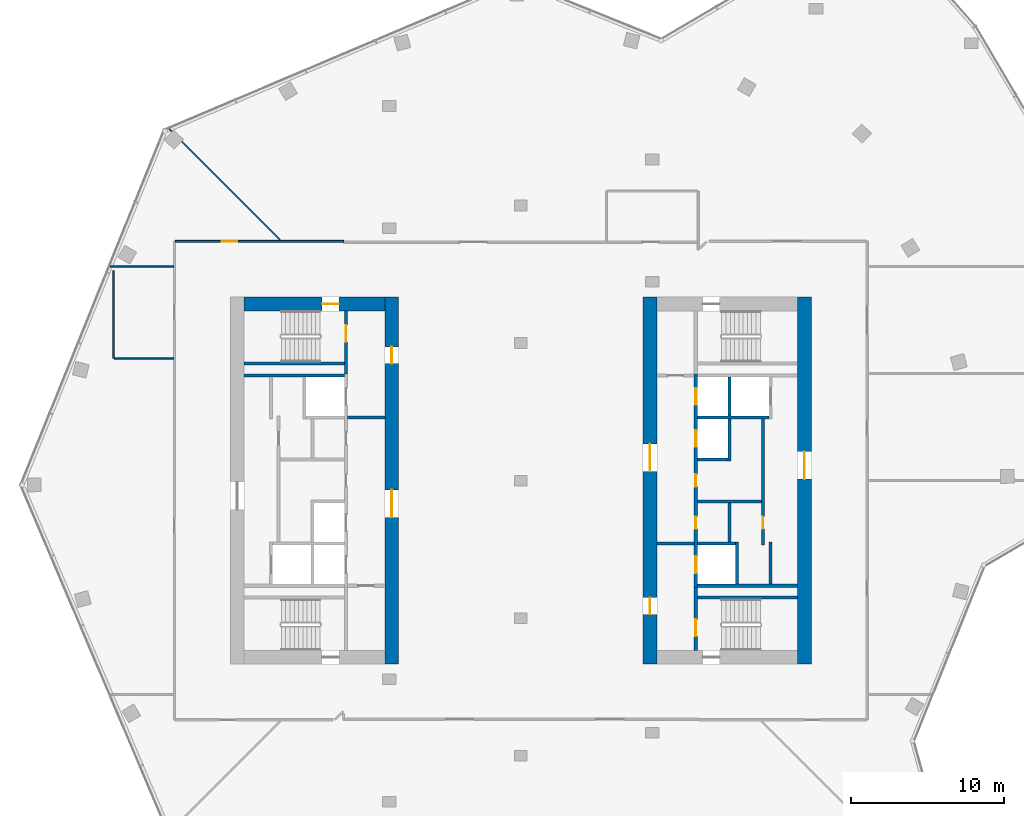
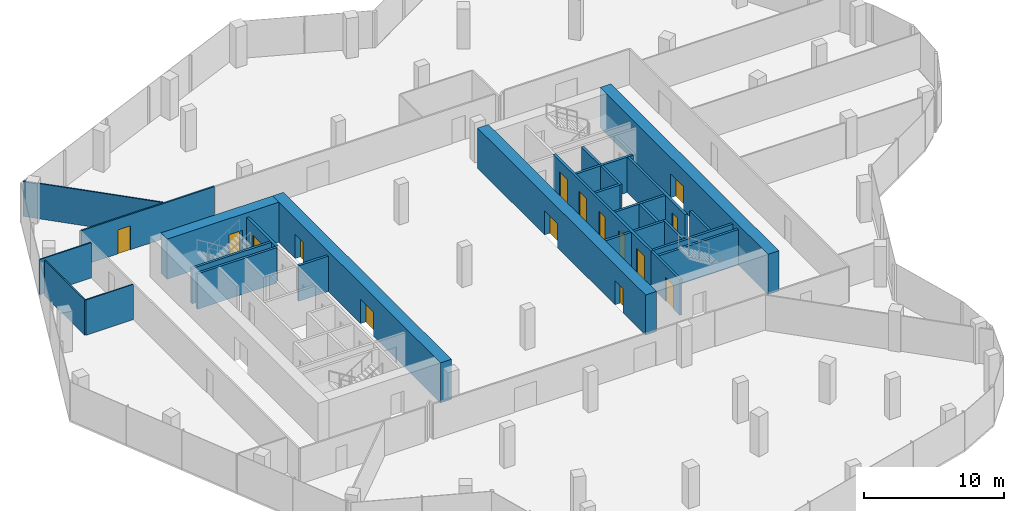
# One storey, part 13 of 15: 28 walls, 15 doors, 15 openings.
"""IFC4 building model written with IfcOpenShell, lengths in metres."""

from ifc_helpers import new_model, si_unit, direction, frame, frame_2d, origin, place, context, subcontext, project, spatial, rectangle, extrude, material, layer, layer_set, type_object, element, fill, save


model = new_model("IFC4")

# Units and contexts
model_context = context("Model", 3, precision=1e-05, world=origin(), true_north=direction((0.0, 1.0)))
body_context = subcontext(model_context, "Body", "Model", "MODEL_VIEW")
ifc_project = project(units=[si_unit("LENGTHUNIT", "METRE"), si_unit("AREAUNIT", "SQUARE_METRE"), si_unit("VOLUMEUNIT", "CUBIC_METRE"), si_unit("PLANEANGLEUNIT", "RADIAN"), si_unit("MASSUNIT", "GRAM", prefix="KILO")], contexts=[model_context])

# Site, building, storey
site_placement = place(None, origin())
site = spatial("IfcSite", under=ifc_project, at=site_placement, CompositionType="ELEMENT")
building_placement = place(site_placement, origin())
building = spatial("IfcBuilding", under=site, at=building_placement, Name="Orlundy Tower", CompositionType="ELEMENT")
storey_placement = place(building_placement, frame((0.0, 0.0, 278.89990234375)))
storey = spatial("IfcBuildingStorey", under=building, at=storey_placement, Name="L74", CompositionType="ELEMENT", Elevation=278.89990234375)

# Wall, opening, door
ifc_material_1 = material(Name="Concrete C50/60", Category="concrete")
ifc_layer_1 = layer(ifc_material_1, 0.89990234375)
ifc_layer_set_1 = layer_set([ifc_layer_1], Name="CORE WALL 900 C50/60")
wall_type_1 = type_object("IfcWallType", Name="CORE WALL 900 C50/60", PredefinedType="SHEAR", material=ifc_layer_set_1)
wall_1_placement = place(storey_placement, frame((-18.10009765625, 11.550048828125, 0.0), z_axis=(0.0, 0.0, 1.0), x_axis=(1.0, 0.0, 0.0)))
wall_1 = element("IfcWall", 1, at=wall_1_placement, inside=storey, type_object=wall_type_1, Name="Core wall W-N L74", PredefinedType="SHEAR", context=body_context, shape_type="SweptSolid", body=[
    extrude(rectangle(XDim=9.2001953125, YDim=0.89990234375, at=frame_2d((4.60009765625, 0.0))), origin(), (0.0, 0.0, 1.0), 3.5),
])
opening_1_placement = place(wall_1_placement, frame((5.10009765625, 0.0, 0.0)))
opening_1 = element("IfcOpeningElement", 2, at=opening_1_placement, cuts=wall_1, Name="Opening 56011", PredefinedType="OPENING", context=body_context, shape_type="SweptSolid", body=[
    extrude(rectangle(XDim=1.10009765625, YDim=2.10009765625, at=frame_2d((0.550048828125, 1.050048828125))), frame((0.0, 0.4599609375, 0.0), z_axis=(0.0, -1.0, 0.0), x_axis=(1.0, 0.0, 0.0)), (0.0, 0.0, 1.0), 0.919921875),
])
ifc_material_2 = material(Name="Steel door set", Category="steel")
door_type_1 = type_object("IfcDoorType", Name="Stair Door 1100x2100", OperationType="SINGLE_SWING_LEFT", PredefinedType="DOOR", material=ifc_material_2)
door_1_placement = place(opening_1_placement, origin())
door_1 = element("IfcDoor", 3, at=door_1_placement, inside=storey, type_object=door_type_1, Name="Stair door 56011", OperationType="SINGLE_SWING_RIGHT", OverallHeight=2.10009765625, OverallWidth=1.10009765625, PredefinedType="DOOR", context=body_context, shape_type="SweptSolid", body=[
    extrude(rectangle(XDim=1.10009765625, YDim=2.10009765625, at=frame_2d((0.550048828125, 1.050048828125))), frame((0.0, 0.02490234375, 0.0), z_axis=(0.0, -1.0, 0.0), x_axis=(1.0, 0.0, 0.0)), (0.0, 0.0, 1.0), 0.050048828125),
])
fill(opening_1, door_1)

# Wall, openings, doors
wall_2_placement = place(storey_placement, frame((-8.449951171875, -12.0, 0.0), z_axis=(0.0, 0.0, 1.0), x_axis=(0.0, 1.0, 0.0)))
wall_2 = element("IfcWall", 4, at=wall_2_placement, inside=storey, type_object=wall_type_1, Name="Core wall W-E L74", PredefinedType="SHEAR", context=body_context, shape_type="SweptSolid", body=[
    extrude(rectangle(XDim=24.0, YDim=0.89990234375, at=frame_2d((12.0, 0.0))), origin(), (0.0, 0.0, 1.0), 3.5),
])
opening_2_placement = place(wall_2_placement, frame((9.60009765625, 0.0, 0.0)))
opening_2 = element("IfcOpeningElement", 5, at=opening_2_placement, cuts=wall_2, Name="Opening 56008", PredefinedType="OPENING", context=body_context, shape_type="SweptSolid", body=[
    extrude(rectangle(XDim=1.800048828125, YDim=2.10009765625, at=frame_2d((0.89990234375, 1.050048828125))), frame((0.0, 0.4599609375, 0.0), z_axis=(0.0, -1.0, 0.0), x_axis=(1.0, 0.0, 0.0)), (0.0, 0.0, 1.0), 0.919921875),
])
opening_3_placement = place(wall_2_placement, frame((19.64990234375, 0.0, 0.0)))
opening_3 = element("IfcOpeningElement", 6, at=opening_3_placement, cuts=wall_2, Name="Opening 56010", PredefinedType="OPENING", context=body_context, shape_type="SweptSolid", body=[
    extrude(rectangle(XDim=1.10009765625, YDim=2.10009765625, at=frame_2d((0.550048828125, 1.050048828125))), frame((0.0, 0.4599609375, 0.0), z_axis=(0.0, -1.0, 0.0), x_axis=(1.0, 0.0, 0.0)), (0.0, 0.0, 1.0), 0.919921875),
])
ifc_material_3 = material(Name="Steel door set", Category="steel")
door_type_2 = type_object("IfcDoorType", Name="Fire-fighting Lobby Door 1100x2100", OperationType="SINGLE_SWING_LEFT", PredefinedType="DOOR", material=ifc_material_3)
door_2_placement = place(opening_3_placement, origin())
door_2 = element("IfcDoor", 7, at=door_2_placement, inside=storey, type_object=door_type_2, Name="Fire-fighting lobby door 56010", OperationType="SINGLE_SWING_RIGHT", OverallHeight=2.10009765625, OverallWidth=1.10009765625, PredefinedType="DOOR", context=body_context, shape_type="SweptSolid", body=[
    extrude(rectangle(XDim=1.10009765625, YDim=2.10009765625, at=frame_2d((0.550048828125, 1.050048828125))), frame((0.0, 0.02490234375, 0.0), z_axis=(0.0, -1.0, 0.0), x_axis=(1.0, 0.0, 0.0)), (0.0, 0.0, 1.0), 0.050048828125),
])
fill(opening_3, door_2)
ifc_material_4 = material(Name="Timber door set", Category="wood")
door_type_3 = type_object("IfcDoorType", Name="Lobby Door 1800x2100", OperationType="DOUBLE_DOOR_DOUBLE_SWING", PredefinedType="DOOR", material=ifc_material_4)
door_3_placement = place(opening_2_placement, origin())
door_3 = element("IfcDoor", 8, at=door_3_placement, inside=storey, type_object=door_type_3, Name="Lift lobby door 56008", OperationType="SINGLE_SWING_LEFT", OverallHeight=2.10009765625, OverallWidth=1.800048828125, PredefinedType="DOOR", context=body_context, shape_type="SweptSolid", body=[
    extrude(rectangle(XDim=1.800048828125, YDim=2.10009765625, at=frame_2d((0.89990234375, 1.050048828125))), frame((0.0, 0.02490234375, 0.0), z_axis=(0.0, -1.0, 0.0), x_axis=(1.0, 0.0, 0.0)), (0.0, 0.0, 1.0), 0.050048828125),
])
fill(opening_2, door_3)

wall_3_placement = place(storey_placement, frame((8.449951171875, -12.0, 0.0), z_axis=(0.0, 0.0, 1.0), x_axis=(0.0, 1.0, 0.0)))
wall_3 = element("IfcWall", 9, at=wall_3_placement, inside=storey, type_object=wall_type_1, Name="Core wall E-W L74", PredefinedType="SHEAR", context=body_context, shape_type="SweptSolid", body=[
    extrude(rectangle(XDim=24.0, YDim=0.89990234375, at=frame_2d((12.0, 0.0))), origin(), (0.0, 0.0, 1.0), 3.5),
])
opening_4_placement = place(wall_3_placement, frame((12.60009765625, 0.0, 0.0)))
opening_4 = element("IfcOpeningElement", 10, at=opening_4_placement, cuts=wall_3, Name="Opening 56057", PredefinedType="OPENING", context=body_context, shape_type="SweptSolid", body=[
    extrude(rectangle(XDim=1.800048828125, YDim=2.10009765625, at=frame_2d((0.89990234375, 1.050048828125))), frame((0.0, 0.4599609375, 0.0), z_axis=(0.0, -1.0, 0.0), x_axis=(1.0, 0.0, 0.0)), (0.0, 0.0, 1.0), 0.919921875),
])
opening_5_placement = place(wall_3_placement, frame((3.25, 0.0, 0.0)))
opening_5 = element("IfcOpeningElement", 11, at=opening_5_placement, cuts=wall_3, Name="Opening 56059", PredefinedType="OPENING", context=body_context, shape_type="SweptSolid", body=[
    extrude(rectangle(XDim=1.10009765625, YDim=2.10009765625, at=frame_2d((0.550048828125, 1.050048828125))), frame((0.0, 0.4599609375, 0.0), z_axis=(0.0, -1.0, 0.0), x_axis=(1.0, 0.0, 0.0)), (0.0, 0.0, 1.0), 0.919921875),
])
door_4_placement = place(opening_5_placement, origin())
door_4 = element("IfcDoor", 12, at=door_4_placement, inside=storey, type_object=door_type_2, Name="Fire-fighting lobby door 56059", OperationType="SINGLE_SWING_LEFT", OverallHeight=2.10009765625, OverallWidth=1.10009765625, PredefinedType="DOOR", context=body_context, shape_type="SweptSolid", body=[
    extrude(rectangle(XDim=1.10009765625, YDim=2.10009765625, at=frame_2d((0.550048828125, 1.050048828125))), frame((0.0, 0.02490234375, 0.0), z_axis=(0.0, -1.0, 0.0), x_axis=(1.0, 0.0, 0.0)), (0.0, 0.0, 1.0), 0.050048828125),
])
fill(opening_5, door_4)
door_5_placement = place(opening_4_placement, origin())
door_5 = element("IfcDoor", 13, at=door_5_placement, inside=storey, type_object=door_type_3, Name="Lift lobby door 56057", OperationType="SINGLE_SWING_RIGHT", OverallHeight=2.10009765625, OverallWidth=1.800048828125, PredefinedType="DOOR", context=body_context, shape_type="SweptSolid", body=[
    extrude(rectangle(XDim=1.800048828125, YDim=2.10009765625, at=frame_2d((0.89990234375, 1.050048828125))), frame((0.0, 0.02490234375, 0.0), z_axis=(0.0, -1.0, 0.0), x_axis=(1.0, 0.0, 0.0)), (0.0, 0.0, 1.0), 0.050048828125),
])
fill(opening_4, door_5)

# Wall, opening, door
wall_4_placement = place(storey_placement, frame((18.550048828125, -12.0, 0.0), z_axis=(0.0, 0.0, 1.0), x_axis=(0.0, 1.0, 0.0)))
wall_4 = element("IfcWall", 14, at=wall_4_placement, inside=storey, type_object=wall_type_1, Name="Core wall E-E L74", PredefinedType="SHEAR", context=body_context, shape_type="SweptSolid", body=[
    extrude(rectangle(XDim=24.0, YDim=0.89990234375, at=frame_2d((12.0, 0.0))), origin(), (0.0, 0.0, 1.0), 3.5),
])
opening_6_placement = place(wall_4_placement, frame((12.10009765625, 0.0, 0.0)))
opening_6 = element("IfcOpeningElement", 15, at=opening_6_placement, cuts=wall_4, Name="Opening 56058", PredefinedType="OPENING", context=body_context, shape_type="SweptSolid", body=[
    extrude(rectangle(XDim=1.800048828125, YDim=2.10009765625, at=frame_2d((0.89990234375, 1.050048828125))), frame((0.0, 0.4599609375, 0.0), z_axis=(0.0, -1.0, 0.0), x_axis=(1.0, 0.0, 0.0)), (0.0, 0.0, 1.0), 0.919921875),
])
door_6_placement = place(opening_6_placement, origin())
door_6 = element("IfcDoor", 16, at=door_6_placement, inside=storey, type_object=door_type_3, Name="Lift lobby door 56058", OperationType="SINGLE_SWING_RIGHT", OverallHeight=2.10009765625, OverallWidth=1.800048828125, PredefinedType="DOOR", context=body_context, shape_type="SweptSolid", body=[
    extrude(rectangle(XDim=1.800048828125, YDim=2.10009765625, at=frame_2d((0.89990234375, 1.050048828125))), frame((0.0, 0.02490234375, 0.0), z_axis=(0.0, -1.0, 0.0), x_axis=(1.0, 0.0, 0.0)), (0.0, 0.0, 1.0), 0.050048828125),
])
fill(opening_6, door_6)

# Walls
ifc_material_5 = material(Name="Gypsum board partition")
ifc_layer_2 = layer(ifc_material_5, 0.10009765625)
ifc_layer_set_2 = layer_set([ifc_layer_2], Name="Floor partition 100")
wall_type_2 = type_object("IfcWallType", Name="Floor partition 100", PredefinedType="PARTITIONING", material=ifc_layer_set_2)
wall_5_placement = place(storey_placement, frame((-23.071044921875, 23.070068359375, 0.0), z_axis=(0.0, 0.0, 1.0), x_axis=(0.707106781187, -0.707106781187, 0.0)))
element("IfcWall", 17, at=wall_5_placement, inside=storey, type_object=wall_type_2, Name="wall-int-L74-003", PredefinedType="PARTITIONING", context=body_context, shape_type="SweptSolid", body=[
    extrude(rectangle(XDim=10.353515625, YDim=0.10009765625, at=frame_2d((5.1767578125, 0.0))), origin(), (0.0, 0.0, 1.0), 3.080078125),
])
wall_6_placement = place(storey_placement, frame((-26.597900390625, 8.0, 0.0), z_axis=(0.0, 0.0, 1.0), x_axis=(1.0, 0.0, 0.0)))
element("IfcWall", 18, at=wall_6_placement, inside=storey, type_object=wall_type_2, Name="wall-int-L74-011", PredefinedType="PARTITIONING", context=body_context, shape_type="SweptSolid", body=[
    extrude(rectangle(XDim=3.885986328125, YDim=0.10009765625, at=frame_2d((1.94287109375, 0.0))), origin(), (0.0, 0.0, 1.0), 3.080078125),
])
wall_7_placement = place(storey_placement, frame((-26.969970703125, 14.0, 0.0), z_axis=(0.0, 0.0, 1.0), x_axis=(1.0, 0.0, 0.0)))
element("IfcWall", 19, at=wall_7_placement, inside=storey, type_object=wall_type_2, Name="wall-int-L74-012", PredefinedType="PARTITIONING", context=body_context, shape_type="SweptSolid", body=[
    extrude(rectangle(XDim=4.258056640625, YDim=0.10009765625, at=frame_2d((2.12890625, 0.0))), origin(), (0.0, 0.0, 1.0), 3.080078125),
])
wall_8_placement = place(storey_placement, frame((-26.64794921875, 8.0, 0.0), z_axis=(0.0, 0.0, 1.0), x_axis=(0.0, 1.0, 0.0)))
element("IfcWall", 20, at=wall_8_placement, inside=storey, type_object=wall_type_2, Name="wall-int-L74-025", PredefinedType="PARTITIONING", context=body_context, shape_type="SweptSolid", body=[
    extrude(rectangle(XDim=5.72705078125, YDim=0.10009765625, at=frame_2d((2.863525390625, 0.0))), origin(), (0.0, 0.0, 1.0), 3.080078125),
])

# Wall, opening, door
ifc_material_6 = material(Name="Gypsum board partition, double layer")
ifc_layer_3 = layer(ifc_material_6, 0.125)
ifc_layer_set_3 = layer_set([ifc_layer_3], Name="Floor partition 125")
wall_type_3 = type_object("IfcWallType", Name="Floor partition 125", PredefinedType="PARTITIONING", material=ifc_layer_set_3)
wall_9_placement = place(storey_placement, frame((-22.5869140625, 15.65087890625, 0.0), z_axis=(0.0, 0.0, 1.0), x_axis=(1.0, 0.0, 0.0)))
wall_9 = element("IfcWall", 21, at=wall_9_placement, inside=storey, type_object=wall_type_3, Name="wall-int-L74-015", PredefinedType="PARTITIONING", context=body_context, shape_type="SweptSolid", body=[
    extrude(rectangle(XDim=10.995849609375, YDim=0.125, at=frame_2d((5.498046875, 0.0))), origin(), (0.0, 0.0, 1.0), 3.080078125),
])
opening_7_placement = place(wall_9_placement, frame((3.03759765625, 0.0, 0.0)))
opening_7 = element("IfcOpeningElement", 22, at=opening_7_placement, cuts=wall_9, Name="Opening 56110", PredefinedType="OPENING", context=body_context, shape_type="SweptSolid", body=[
    extrude(rectangle(XDim=1.0, YDim=2.10009765625, at=frame_2d((0.5, 1.050048828125))), frame((0.0, 0.072509765625, 0.0), z_axis=(0.0, -1.0, 0.0), x_axis=(1.0, 0.0, 0.0)), (0.0, 0.0, 1.0), 0.14501953125),
])
ifc_material_7 = material(Name="Timber door leaf", Category="wood")
door_type_4 = type_object("IfcDoorType", Name="Floor door wide 1000 FD30S", OperationType="NOTDEFINED", PredefinedType="DOOR", material=ifc_material_7)
door_7_placement = place(opening_7_placement, origin())
door_7 = element("IfcDoor", 23, at=door_7_placement, inside=storey, type_object=door_type_4, Name="Door 56110", OperationType="SINGLE_SWING_LEFT", OverallHeight=2.10009765625, OverallWidth=1.0, PredefinedType="DOOR", context=body_context, shape_type="SweptSolid", body=[
    extrude(rectangle(XDim=1.0, YDim=2.10009765625, at=frame_2d((0.5, 1.050048828125))), frame((0.0, 0.02490234375, 0.0), z_axis=(0.0, -1.0, 0.0), x_axis=(1.0, 0.0, 0.0)), (0.0, 0.0, 1.0), 0.050048828125),
])
fill(opening_7, door_7)

ifc_material_8 = material(Name="Concrete C40/50", Category="concrete")
ifc_layer_4 = layer(ifc_material_8, 0.199951171875)
ifc_layer_set_4 = layer_set([ifc_layer_4], Name="Load-bearing Shaft Wall 200")
wall_type_4 = type_object("IfcWallType", Name="Load-bearing Shaft Wall 200", PredefinedType="SOLIDWALL", material=ifc_layer_set_4)
wall_10_placement = place(storey_placement, frame((-11.43994140625, 6.97509765625, 0.0), z_axis=(0.0, 0.0, 1.0), x_axis=(0.0, 1.0, 0.0)))
wall_10 = element("IfcWall", 24, at=wall_10_placement, inside=storey, type_object=wall_type_4, Name="Shaft wall W56-stair-end-n", PredefinedType="SOLIDWALL", context=body_context, shape_type="SweptSolid", body=[
    extrude(rectangle(XDim=4.125, YDim=0.199951171875, at=frame_2d((2.0625, 0.0))), origin(), (0.0, 0.0, 1.0), 3.090087890625),
])
opening_8_placement = place(wall_10_placement, frame((2.10009765625, 0.0, 0.0)))
opening_8 = element("IfcOpeningElement", 25, at=opening_8_placement, cuts=wall_10, Name="Opening 56013", PredefinedType="OPENING", context=body_context, shape_type="SweptSolid", body=[
    extrude(rectangle(XDim=1.10009765625, YDim=2.10009765625, at=frame_2d((0.550048828125, 1.050048828125))), frame((0.0, 0.110107421875, 0.0), z_axis=(0.0, -1.0, 0.0), x_axis=(1.0, 0.0, 0.0)), (0.0, 0.0, 1.0), 0.22021484375),
])
door_8_placement = place(opening_8_placement, origin())
door_8 = element("IfcDoor", 26, at=door_8_placement, inside=storey, type_object=door_type_2, Name="Fire-fighting lobby to stair door 56013", OperationType="SINGLE_SWING_RIGHT", OverallHeight=2.10009765625, OverallWidth=1.10009765625, PredefinedType="DOOR", context=body_context, shape_type="SweptSolid", body=[
    extrude(rectangle(XDim=1.10009765625, YDim=2.10009765625, at=frame_2d((0.550048828125, 1.050048828125))), frame((0.0, 0.02490234375, 0.0), z_axis=(0.0, -1.0, 0.0), x_axis=(1.0, 0.0, 0.0)), (0.0, 0.0, 1.0), 0.050048828125),
])
fill(opening_8, door_8)

# Wall
wall_11_placement = place(storey_placement, frame((-11.5400390625, 7.64990234375, 0.0), z_axis=(0.0, 0.0, 1.0), x_axis=(-1.0, 0.0, 0.0)))
element("IfcWall", 27, at=wall_11_placement, inside=storey, type_object=wall_type_4, Name="Shaft wall W56-stair-side-n", PredefinedType="SOLIDWALL", context=body_context, shape_type="SweptSolid", body=[
    extrude(rectangle(XDim=6.56005859375, YDim=0.199951171875, at=frame_2d((3.280029296875, 0.0))), origin(), (0.0, 0.0, 1.0), 3.090087890625),
])

# Wall, opening, door
wall_12_placement = place(storey_placement, frame((11.43994140625, -6.97509765625, 0.0), z_axis=(0.0, 0.0, 1.0), x_axis=(0.0, -1.0, 0.0)))
wall_12 = element("IfcWall", 28, at=wall_12_placement, inside=storey, type_object=wall_type_4, Name="Shaft wall E56-stair-end-n", PredefinedType="SOLIDWALL", context=body_context, shape_type="SweptSolid", body=[
    extrude(rectangle(XDim=4.125, YDim=0.199951171875, at=frame_2d((2.0625, 0.0))), origin(), (0.0, 0.0, 1.0), 3.090087890625),
])
opening_9_placement = place(wall_12_placement, frame((2.10009765625, 0.0, 0.0)))
opening_9 = element("IfcOpeningElement", 29, at=opening_9_placement, cuts=wall_12, Name="Opening 56062", PredefinedType="OPENING", context=body_context, shape_type="SweptSolid", body=[
    extrude(rectangle(XDim=1.10009765625, YDim=2.10009765625, at=frame_2d((0.550048828125, 1.050048828125))), frame((0.0, 0.110107421875, 0.0), z_axis=(0.0, -1.0, 0.0), x_axis=(1.0, 0.0, 0.0)), (0.0, 0.0, 1.0), 0.22021484375),
])
door_9_placement = place(opening_9_placement, origin())
door_9 = element("IfcDoor", 30, at=door_9_placement, inside=storey, type_object=door_type_2, Name="Fire-fighting lobby to stair door 56062", OperationType="SINGLE_SWING_RIGHT", OverallHeight=2.10009765625, OverallWidth=1.10009765625, PredefinedType="DOOR", context=body_context, shape_type="SweptSolid", body=[
    extrude(rectangle(XDim=1.10009765625, YDim=2.10009765625, at=frame_2d((0.550048828125, 1.050048828125))), frame((0.0, 0.02490234375, 0.0), z_axis=(0.0, -1.0, 0.0), x_axis=(1.0, 0.0, 0.0)), (0.0, 0.0, 1.0), 0.050048828125),
])
fill(opening_9, door_9)

# Walls
wall_13_placement = place(storey_placement, frame((11.5400390625, -7.64990234375, 0.0), z_axis=(0.0, 0.0, 1.0), x_axis=(1.0, 0.0, 0.0)))
element("IfcWall", 31, at=wall_13_placement, inside=storey, type_object=wall_type_4, Name="Shaft wall E56-stair-side-n", PredefinedType="SOLIDWALL", context=body_context, shape_type="SweptSolid", body=[
    extrude(rectangle(XDim=6.56005859375, YDim=0.199951171875, at=frame_2d((3.280029296875, 0.0))), origin(), (0.0, 0.0, 1.0), 3.090087890625),
])
ifc_material_9 = material(Name="Gypsum board partition on steel studs", Category="steel")
ifc_layer_5 = layer(ifc_material_9, 0.199951171875)
ifc_layer_set_5 = layer_set([ifc_layer_5], Name="Partition 200")
wall_type_5 = type_object("IfcWallType", Name="Partition 200", PredefinedType="PARTITIONING", material=ifc_layer_set_5)
for number, where, z_axis, x_axis, name in (
    (32, (-8.89990234375, 4.125, 0.0), (0.0, 0.0, 1.0), (-1.0, 0.0, 0.0), "Partition wall W56-lobby-n"),
    (33, (8.89990234375, -4.125, 0.0), (0.0, 0.0, 1.0), (1.0, 0.0, 0.0), "Partition wall E56-lobby-n"),
):
    element("IfcWall", number, at=place(storey_placement, frame(where, z_axis=z_axis, x_axis=x_axis)), inside=storey, type_object=wall_type_5, Name=name, PredefinedType="PARTITIONING", context=body_context, shape_type="SweptSolid", body=[
        extrude(rectangle(XDim=2.440185546875, YDim=0.199951171875, at=frame_2d((1.22021484375, 0.0))), origin(), (0.0, 0.0, 1.0), 3.090087890625),
    ])
ifc_material_10 = material(Name="Fire-rated blockwork shaft wall", Category="masonry")
ifc_layer_6 = layer(ifc_material_10, 0.199951171875)
ifc_layer_set_6 = layer_set([ifc_layer_6], Name="Shaft Wall 200")
wall_type_6 = type_object("IfcWallType", Name="Shaft Wall 200", PredefinedType="SOLIDWALL", material=ifc_layer_set_6)
for number, where, z_axis, x_axis, name in (
    (34, (-11.5400390625, 6.875, 0.0), (0.0, 0.0, 1.0), (-1.0, 0.0, 0.0), "Shaft wall W56-zone-n"),
    (35, (11.5400390625, -6.875, 0.0), (0.0, 0.0, 1.0), (1.0, 0.0, 0.0), "Shaft wall E56-zone-n"),
):
    element("IfcWall", number, at=place(storey_placement, frame(where, z_axis=z_axis, x_axis=x_axis)), inside=storey, type_object=wall_type_6, Name=name, PredefinedType="SOLIDWALL", context=body_context, shape_type="SweptSolid", body=[
        extrude(rectangle(XDim=6.56005859375, YDim=0.199951171875, at=frame_2d((3.280029296875, 0.0))), origin(), (0.0, 0.0, 1.0), 3.090087890625),
    ])
wall_14_placement = place(storey_placement, frame((11.5400390625, 4.125, 0.0), z_axis=(0.0, 0.0, 1.0), x_axis=(1.0, 0.0, 0.0)))
element("IfcWall", 36, at=wall_14_placement, inside=storey, type_object=wall_type_6, Name="Shaft wall E56-cross-4.125", PredefinedType="SOLIDWALL", context=body_context, shape_type="SweptSolid", body=[
    extrude(rectangle(XDim=4.699951171875, YDim=0.199951171875, at=frame_2d((2.35009765625, 0.0))), origin(), (0.0, 0.0, 1.0), 3.090087890625),
])
wall_15_placement = place(storey_placement, frame((11.5400390625, 1.375, 0.0), z_axis=(0.0, 0.0, 1.0), x_axis=(1.0, 0.0, 0.0)))
element("IfcWall", 37, at=wall_15_placement, inside=storey, type_object=wall_type_6, Name="Shaft wall E56-cross-1.375", PredefinedType="SOLIDWALL", context=body_context, shape_type="SweptSolid", body=[
    extrude(rectangle(XDim=2.0, YDim=0.199951171875, at=frame_2d((1.0, 0.0))), origin(), (0.0, 0.0, 1.0), 3.090087890625),
])
wall_16_placement = place(storey_placement, frame((11.5400390625, -1.375, 0.0), z_axis=(0.0, 0.0, 1.0), x_axis=(1.0, 0.0, 0.0)))
element("IfcWall", 38, at=wall_16_placement, inside=storey, type_object=wall_type_6, Name="Shaft wall E56-cross+1.375", PredefinedType="SOLIDWALL", context=body_context, shape_type="SweptSolid", body=[
    extrude(rectangle(XDim=4.199951171875, YDim=0.199951171875, at=frame_2d((2.10009765625, 0.0))), origin(), (0.0, 0.0, 1.0), 3.090087890625),
])
wall_17_placement = place(storey_placement, frame((11.5400390625, -4.125, 0.0), z_axis=(0.0, 0.0, 1.0), x_axis=(1.0, 0.0, 0.0)))
element("IfcWall", 39, at=wall_17_placement, inside=storey, type_object=wall_type_6, Name="Shaft wall E56-cross+4.125", PredefinedType="SOLIDWALL", context=body_context, shape_type="SweptSolid", body=[
    extrude(rectangle(XDim=2.5, YDim=0.199951171875, at=frame_2d((1.25, 0.0))), origin(), (0.0, 0.0, 1.0), 3.090087890625),
])

# Wall, openings, doors
wall_18_placement = place(storey_placement, frame((11.43994140625, 6.97509765625, 0.0), z_axis=(0.0, 0.0, 1.0), x_axis=(0.0, -1.0, 0.0)))
wall_18 = element("IfcWall", 40, at=wall_18_placement, inside=storey, type_object=wall_type_6, Name="Shaft wall E56-front-h", PredefinedType="SOLIDWALL", context=body_context, shape_type="SweptSolid", body=[
    extrude(rectangle(XDim=13.9501953125, YDim=0.199951171875, at=frame_2d((6.97509765625, 0.0))), origin(), (0.0, 0.0, 1.0), 3.090087890625),
])
opening_10_placement = place(wall_18_placement, frame((0.925048828125, 0.0, 0.0)))
opening_10 = element("IfcOpeningElement", 41, at=opening_10_placement, cuts=wall_18, Name="Opening 56050", PredefinedType="OPENING", context=body_context, shape_type="SweptSolid", body=[
    extrude(rectangle(XDim=1.10009765625, YDim=2.10009765625, at=frame_2d((0.550048828125, 1.050048828125))), frame((0.0, 0.110107421875, 0.0), z_axis=(0.0, -1.0, 0.0), x_axis=(1.0, 0.0, 0.0)), (0.0, 0.0, 1.0), 0.22021484375),
])
opening_11_placement = place(wall_18_placement, frame((3.675048828125, 0.0, 0.0)))
opening_11 = element("IfcOpeningElement", 42, at=opening_11_placement, cuts=wall_18, Name="Opening 56052", PredefinedType="OPENING", context=body_context, shape_type="SweptSolid", body=[
    extrude(rectangle(XDim=1.10009765625, YDim=2.10009765625, at=frame_2d((0.550048828125, 1.050048828125))), frame((0.0, 0.110107421875, 0.0), z_axis=(0.0, -1.0, 0.0), x_axis=(1.0, 0.0, 0.0)), (0.0, 0.0, 1.0), 0.22021484375),
])
opening_12_placement = place(wall_18_placement, frame((11.925048828125, 0.0, 0.0)))
opening_12 = element("IfcOpeningElement", 43, at=opening_12_placement, cuts=wall_18, Name="Opening 56053", PredefinedType="OPENING", context=body_context, shape_type="SweptSolid", body=[
    extrude(rectangle(XDim=1.10009765625, YDim=2.10009765625, at=frame_2d((0.550048828125, 1.050048828125))), frame((0.0, 0.110107421875, 0.0), z_axis=(0.0, -1.0, 0.0), x_axis=(1.0, 0.0, 0.0)), (0.0, 0.0, 1.0), 0.22021484375),
])
opening_13_placement = place(wall_18_placement, frame((6.574951171875, 0.0, 0.0)))
opening_13 = element("IfcOpeningElement", 44, at=opening_13_placement, cuts=wall_18, Name="Opening 56054", PredefinedType="OPENING", context=body_context, shape_type="SweptSolid", body=[
    extrude(rectangle(XDim=0.800048828125, YDim=2.10009765625, at=frame_2d((0.39990234375, 1.050048828125))), frame((0.0, 0.110107421875, 0.0), z_axis=(0.0, -1.0, 0.0), x_axis=(1.0, 0.0, 0.0)), (0.0, 0.0, 1.0), 0.22021484375),
])
opening_14_placement = place(wall_18_placement, frame((9.324951171875, 0.0, 0.0)))
opening_14 = element("IfcOpeningElement", 45, at=opening_14_placement, cuts=wall_18, Name="Opening 56055", PredefinedType="OPENING", context=body_context, shape_type="SweptSolid", body=[
    extrude(rectangle(XDim=0.800048828125, YDim=2.10009765625, at=frame_2d((0.39990234375, 1.050048828125))), frame((0.0, 0.110107421875, 0.0), z_axis=(0.0, -1.0, 0.0), x_axis=(1.0, 0.0, 0.0)), (0.0, 0.0, 1.0), 0.22021484375),
])
ifc_material_11 = material(Name="Steel door set", Category="steel")
door_type_5 = type_object("IfcDoorType", Name="Landing Door 1100x2100", OperationType="DOUBLE_DOOR_SLIDING", PredefinedType="DOOR", material=ifc_material_11)
door_10_placement = place(opening_10_placement, origin())
door_10 = element("IfcDoor", 46, at=door_10_placement, inside=storey, type_object=door_type_5, Name="Lift landing door LP-24 56050", OperationType="DOUBLE_DOOR_SLIDING", OverallHeight=2.10009765625, OverallWidth=1.10009765625, PredefinedType="DOOR", context=body_context, shape_type="SweptSolid", body=[
    extrude(rectangle(XDim=1.10009765625, YDim=2.10009765625, at=frame_2d((0.550048828125, 1.050048828125))), frame((0.0, 0.02490234375, 0.0), z_axis=(0.0, -1.0, 0.0), x_axis=(1.0, 0.0, 0.0)), (0.0, 0.0, 1.0), 0.050048828125),
])
fill(opening_10, door_10)
door_11_placement = place(opening_11_placement, origin())
door_11 = element("IfcDoor", 47, at=door_11_placement, inside=storey, type_object=door_type_5, Name="Lift landing door LP-23 56052", OperationType="DOUBLE_DOOR_SLIDING", OverallHeight=2.10009765625, OverallWidth=1.10009765625, PredefinedType="DOOR", context=body_context, shape_type="SweptSolid", body=[
    extrude(rectangle(XDim=1.10009765625, YDim=2.10009765625, at=frame_2d((0.550048828125, 1.050048828125))), frame((0.0, 0.02490234375, 0.0), z_axis=(0.0, -1.0, 0.0), x_axis=(1.0, 0.0, 0.0)), (0.0, 0.0, 1.0), 0.050048828125),
])
fill(opening_11, door_11)
door_12_placement = place(opening_12_placement, origin())
door_12 = element("IfcDoor", 48, at=door_12_placement, inside=storey, type_object=door_type_5, Name="Lift landing door FL2 56053", OperationType="DOUBLE_DOOR_SLIDING", OverallHeight=2.10009765625, OverallWidth=1.10009765625, PredefinedType="DOOR", context=body_context, shape_type="SweptSolid", body=[
    extrude(rectangle(XDim=1.10009765625, YDim=2.10009765625, at=frame_2d((0.550048828125, 1.050048828125))), frame((0.0, 0.02490234375, 0.0), z_axis=(0.0, -1.0, 0.0), x_axis=(1.0, 0.0, 0.0)), (0.0, 0.0, 1.0), 0.050048828125),
])
fill(opening_12, door_12)
ifc_material_12 = material(Name="Timber door set", Category="wood")
door_type_6 = type_object("IfcDoorType", Name="Riser Door 800x2100", OperationType="SINGLE_SWING_LEFT", PredefinedType="DOOR", material=ifc_material_12)
door_13_placement = place(opening_13_placement, origin())
door_13 = element("IfcDoor", 49, at=door_13_placement, inside=storey, type_object=door_type_6, Name="Refuse Room door 56054", OperationType="SINGLE_SWING_RIGHT", OverallHeight=2.10009765625, OverallWidth=0.800048828125, PredefinedType="DOOR", context=body_context, shape_type="SweptSolid", body=[
    extrude(rectangle(XDim=0.800048828125, YDim=2.10009765625, at=frame_2d((0.39990234375, 1.050048828125))), frame((0.0, 0.02490234375, 0.0), z_axis=(0.0, -1.0, 0.0), x_axis=(1.0, 0.0, 0.0)), (0.0, 0.0, 1.0), 0.050048828125),
])
fill(opening_13, door_13)
door_14_placement = place(opening_14_placement, origin())
door_14 = element("IfcDoor", 50, at=door_14_placement, inside=storey, type_object=door_type_6, Name="Cleaner's Store door 56055", OperationType="SINGLE_SWING_LEFT", OverallHeight=2.10009765625, OverallWidth=0.800048828125, PredefinedType="DOOR", context=body_context, shape_type="SweptSolid", body=[
    extrude(rectangle(XDim=0.800048828125, YDim=2.10009765625, at=frame_2d((0.39990234375, 1.050048828125))), frame((0.0, 0.02490234375, 0.0), z_axis=(0.0, -1.0, 0.0), x_axis=(1.0, 0.0, 0.0)), (0.0, 0.0, 1.0), 0.050048828125),
])
fill(opening_14, door_14)

# Walls
wall_19_placement = place(storey_placement, frame((13.639892578125, 6.77490234375, 0.0), z_axis=(0.0, 0.0, 1.0), x_axis=(0.0, -1.0, 0.0)))
element("IfcWall", 51, at=wall_19_placement, inside=storey, type_object=wall_type_6, Name="Shaft wall E56-mid-a", PredefinedType="SOLIDWALL", context=body_context, shape_type="SweptSolid", body=[
    extrude(rectangle(XDim=2.5498046875, YDim=0.199951171875, at=frame_2d((1.27490234375, 0.0))), origin(), (0.0, 0.0, 1.0), 3.090087890625),
])
wall_20_placement = place(storey_placement, frame((13.639892578125, 4.02490234375, 0.0), z_axis=(0.0, 0.0, 1.0), x_axis=(0.0, -1.0, 0.0)))
element("IfcWall", 52, at=wall_20_placement, inside=storey, type_object=wall_type_6, Name="Shaft wall E56-mid-a.1", PredefinedType="SOLIDWALL", context=body_context, shape_type="SweptSolid", body=[
    extrude(rectangle(XDim=2.75, YDim=0.199951171875, at=frame_2d((1.375, 0.0))), origin(), (0.0, 0.0, 1.0), 3.090087890625),
])
wall_21_placement = place(storey_placement, frame((13.639892578125, -1.47509765625, 0.0), z_axis=(0.0, 0.0, 1.0), x_axis=(0.0, -1.0, 0.0)))
element("IfcWall", 53, at=wall_21_placement, inside=storey, type_object=wall_type_6, Name="Shaft wall E56-mid-a1", PredefinedType="SOLIDWALL", context=body_context, shape_type="SweptSolid", body=[
    extrude(rectangle(XDim=2.5498046875, YDim=0.199951171875, at=frame_2d((1.27490234375, 0.0))), origin(), (0.0, 0.0, 1.0), 3.090087890625),
])
wall_22_placement = place(storey_placement, frame((14.139892578125, -4.02490234375, 0.0), z_axis=(0.0, 0.0, 1.0), x_axis=(0.0, -1.0, 0.0)))
element("IfcWall", 54, at=wall_22_placement, inside=storey, type_object=wall_type_6, Name="Shaft wall E56-mid-b", PredefinedType="SOLIDWALL", context=body_context, shape_type="SweptSolid", body=[
    extrude(rectangle(XDim=2.75, YDim=0.199951171875, at=frame_2d((1.375, 0.0))), origin(), (0.0, 0.0, 1.0), 3.090087890625),
])

# Wall, opening, door
wall_23_placement = place(storey_placement, frame((15.840087890625, 4.02490234375, 0.0), z_axis=(0.0, 0.0, 1.0), x_axis=(0.0, -1.0, 0.0)))
wall_23 = element("IfcWall", 55, at=wall_23_placement, inside=storey, type_object=wall_type_6, Name="Shaft wall E56-front-o-b", PredefinedType="SOLIDWALL", context=body_context, shape_type="SweptSolid", body=[
    extrude(rectangle(XDim=8.25, YDim=0.199951171875, at=frame_2d((4.125, 0.0))), origin(), (0.0, 0.0, 1.0), 3.090087890625),
])
opening_15_placement = place(wall_23_placement, frame((6.375, 0.0, 0.0)))
opening_15 = element("IfcOpeningElement", 56, at=opening_15_placement, cuts=wall_23, Name="Opening 56056", PredefinedType="OPENING", context=body_context, shape_type="SweptSolid", body=[
    extrude(rectangle(XDim=0.800048828125, YDim=2.10009765625, at=frame_2d((0.39990234375, 1.050048828125))), frame((0.0, 0.110107421875, 0.0), z_axis=(0.0, -1.0, 0.0), x_axis=(1.0, 0.0, 0.0)), (0.0, 0.0, 1.0), 0.22021484375),
])
door_15_placement = place(opening_15_placement, origin())
door_15 = element("IfcDoor", 57, at=door_15_placement, inside=storey, type_object=door_type_6, Name="Janitor Store door 56056", OperationType="SINGLE_SWING_LEFT", OverallHeight=2.10009765625, OverallWidth=0.800048828125, PredefinedType="DOOR", context=body_context, shape_type="SweptSolid", body=[
    extrude(rectangle(XDim=0.800048828125, YDim=2.10009765625, at=frame_2d((0.39990234375, 1.050048828125))), frame((0.0, 0.02490234375, 0.0), z_axis=(0.0, -1.0, 0.0), x_axis=(1.0, 0.0, 0.0)), (0.0, 0.0, 1.0), 0.050048828125),
])
fill(opening_15, door_15)

# Wall
wall_24_placement = place(storey_placement, frame((16.340087890625, -4.02490234375, 0.0), z_axis=(0.0, 0.0, 1.0), x_axis=(0.0, -1.0, 0.0)))
element("IfcWall", 58, at=wall_24_placement, inside=storey, type_object=wall_type_6, Name="Shaft wall E56-front-o-c", PredefinedType="SOLIDWALL", context=body_context, shape_type="SweptSolid", body=[
    extrude(rectangle(XDim=2.75, YDim=0.199951171875, at=frame_2d((1.375, 0.0))), origin(), (0.0, 0.0, 1.0), 3.090087890625),
])

save(model, "model.ifc")
